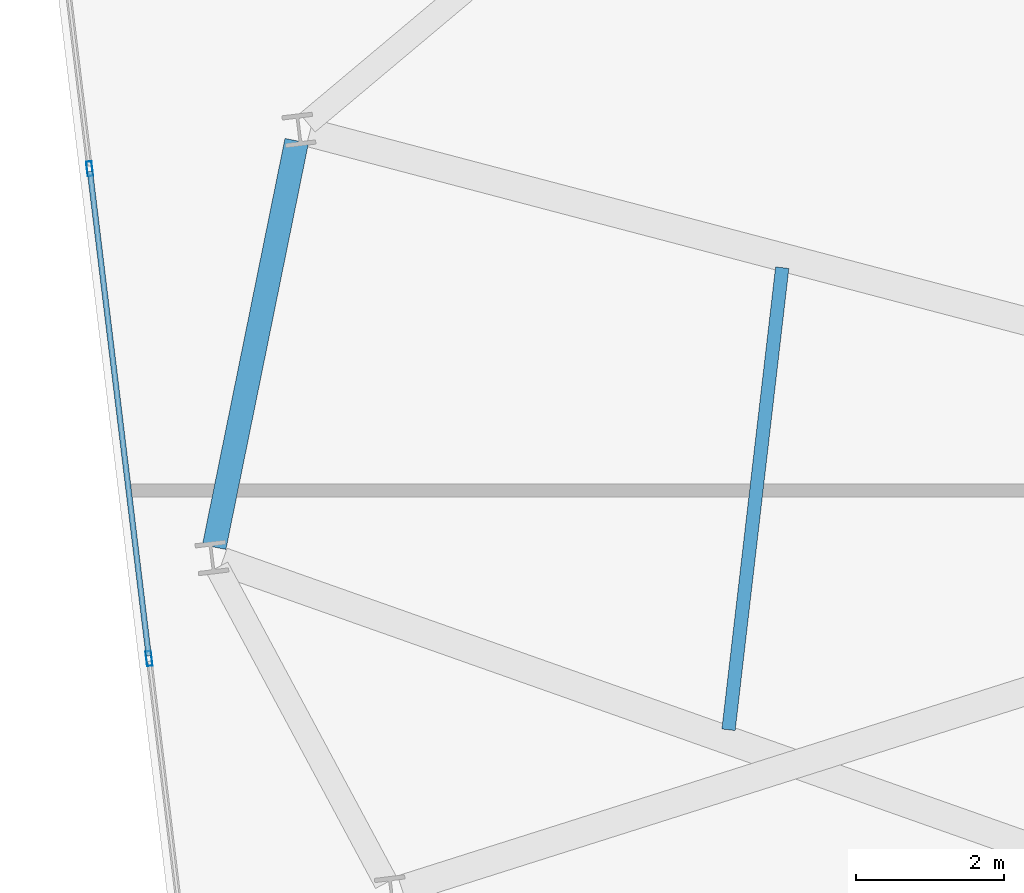
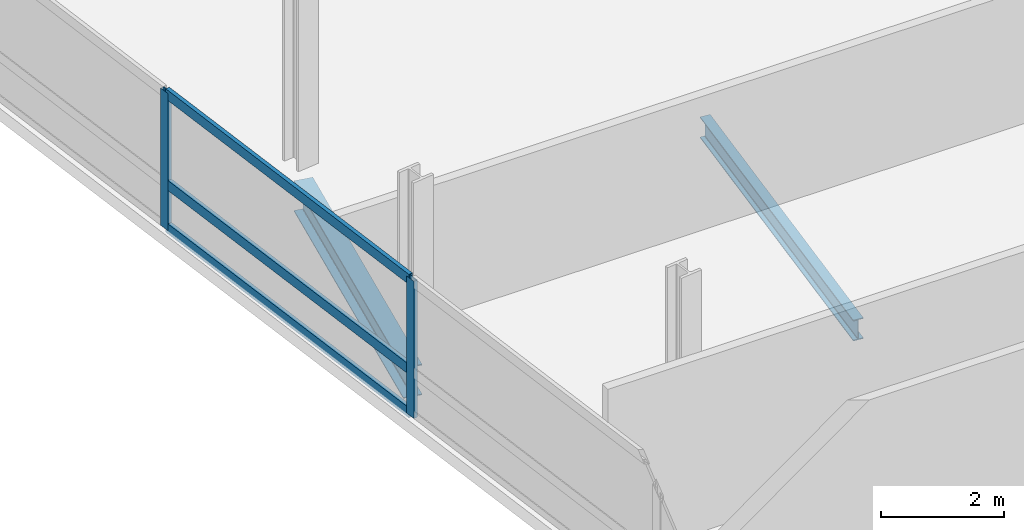
# One storey, part 6 of 24: 5 members, 2 beams, 1 element without a shape of its own.
"""IFC4 building model written with IfcOpenShell, lengths in metres."""

from ifc_helpers import new_model, si_unit, direction, frame, origin, origin_2d, place, context, subcontext, project, spatial, hollow_rectangle, i_section, extrude, material, layer, layer_set, material_profile, profile_set, type_object, element, aggregate, save


model = new_model("IFC4")

# Units and contexts
model_context = context("Model", 3, precision=1e-05, world=origin(), true_north=direction((0.0, 1.0)))
body_context = subcontext(model_context, "Body", "Model", "MODEL_VIEW")
ifc_project = project(units=[si_unit("LENGTHUNIT", "METRE"), si_unit("AREAUNIT", "SQUARE_METRE"), si_unit("VOLUMEUNIT", "CUBIC_METRE"), si_unit("PLANEANGLEUNIT", "RADIAN"), si_unit("MASSUNIT", "GRAM", prefix="KILO")], contexts=[model_context])

# Site, building, storey
site_placement = place(None, origin())
site = spatial("IfcSite", under=ifc_project, at=site_placement, CompositionType="ELEMENT")
building_placement = place(site_placement, origin())
building = spatial("IfcBuilding", under=site, at=building_placement, Name="Varnelok Gate Tower", CompositionType="ELEMENT")
storey_placement = place(building_placement, frame((0.0, 0.0, 196.800048828125)))
storey = spatial("IfcBuildingStorey", under=building, at=storey_placement, Name="L50", CompositionType="ELEMENT", Elevation=196.800048828125)

# Beams
ifc_material_1 = material(Name="Structural Steel ASTM A992 Grade 50", Category="steel")
ifc_material_profile_1 = material_profile(ifc_material_1, i_section(OverallWidth=0.180908203125, OverallDepth=0.4169921875, WebThickness=0.010986328125, FlangeThickness=0.018310546875, FilletRadius=0.013916015625, at=origin_2d()), Name="W16X57")
ifc_profile_set_1 = profile_set([ifc_material_profile_1], Name="Structural Steel ASTM A992 Grade 50")
beam_type_1 = type_object("IfcBeamType", Name="BM-JST-W16X57", PredefinedType="JOIST", material=ifc_profile_set_1)
beam_1_placement = place(storey_placement, frame((12.46630859375, 29.676025390625, -0.45849609375), z_axis=(-0.115437706944, -0.993314721433, 0.0), x_axis=(0.993314721433, -0.115437706944, 0.0)))
element("IfcBeam", 1, at=beam_1_placement, inside=storey, type_object=beam_type_1, Name="L50 Sector Floor Joist 11", PredefinedType="JOIST", context=body_context, shape_type="SweptSolid", body=[
    extrude(i_section(OverallWidth=0.180908203125, OverallDepth=0.4169921875, WebThickness=0.010986328125, FlangeThickness=0.018310546875, FilletRadius=0.013916015625, at=origin_2d()), origin(), (0.0, 0.0, 1.0), 6.298095703125),
])
ifc_material_profile_2 = material_profile(ifc_material_1, i_section(OverallWidth=0.323974609375, OverallDepth=0.611083984375, WebThickness=0.0126953125, FlangeThickness=0.01904296875, FilletRadius=0.01806640625, at=origin_2d()), Name="W24X104")
ifc_profile_set_2 = profile_set([ifc_material_profile_2], Name="Structural Steel ASTM A992 Grade 50")
beam_type_2 = type_object("IfcBeamType", Name="BM-SPN-W24X104", PredefinedType="SPANDREL", material=ifc_profile_set_2)
beam_2_placement = place(storey_placement, frame((5.893310546875, 31.393798828125, -0.5556640625), z_axis=(-0.199143476404, -0.97997034435, 0.0), x_axis=(0.97997034435, -0.199143476404, 0.0)))
element("IfcBeam", 2, at=beam_2_placement, inside=storey, type_object=beam_type_2, Name="L50 Perimeter Spandrel Beam 14", PredefinedType="SPANDREL", context=body_context, shape_type="SweptSolid", body=[
    extrude(i_section(OverallWidth=0.323974609375, OverallDepth=0.611083984375, WebThickness=0.0126953125, FlangeThickness=0.01904296875, FilletRadius=0.01806640625, at=origin_2d()), origin(), (0.0, 0.0, 1.0), 5.6123046875),
])

# Curtain wall, members
ifc_material_2 = material(Name="Anodized Aluminum Alloy 6063-T6", Category="aluminium")
ifc_layer = layer(ifc_material_2, 0.179931640625)
ifc_layer_set = layer_set([ifc_layer], Name="Anodized Aluminum Alloy 6063-T6")
curtain_wall_type = type_object("IfcCurtainWallType", Name="CW4-RESIDENCE-VISION", PredefinedType="USERDEFINED", material=ifc_layer_set)
curtain_wall_placement = place(storey_placement, origin())
curtain_wall = element("IfcCurtainWall", 3, at=curtain_wall_placement, inside=storey, type_object=curtain_wall_type, Name="L50 West End Vision Curtain Wall", ObjectType="UNITISED CURTAIN WALL", PredefinedType="USERDEFINED")
ifc_material_profile_3 = material_profile(ifc_material_2, hollow_rectangle(XDim=0.074951171875, YDim=0.199951171875, WallThickness=0.00390625, at=origin_2d()), Name="ALU200X75X4")
ifc_profile_set_3 = profile_set([ifc_material_profile_3], Name="Anodized Aluminum Alloy 6063-T6")
member_type_1 = type_object("IfcMemberType", Name="CW-MULL-200", PredefinedType="MULLION", material=ifc_profile_set_3)
member_1_placement = place(storey_placement, frame((3.8935546875, 24.384521484375, 0.0), z_axis=(0.0, 0.0, 1.0), x_axis=(-0.992732188751, -0.120344511371, 0.0)))
member_1 = element("IfcMember", 4, at=member_1_placement, type_object=member_type_1, Name="CW4 mullion 4", PredefinedType="MULLION", context=body_context, shape_type="SweptSolid", body=[
    extrude(hollow_rectangle(XDim=0.074951171875, YDim=0.199951171875, WallThickness=0.00390625, at=origin_2d()), origin(), (0.0, 0.0, 1.0), 2.72998046875),
])
member_2_placement = place(storey_placement, frame((3.089599609375, 31.015869140625, 0.0), z_axis=(0.0, 0.0, 1.0), x_axis=(-0.992732188751, -0.120344511371, 0.0)))
member_2 = element("IfcMember", 5, at=member_2_placement, type_object=member_type_1, Name="CW4 mullion 5", PredefinedType="MULLION", context=body_context, shape_type="SweptSolid", body=[
    extrude(hollow_rectangle(XDim=0.074951171875, YDim=0.199951171875, WallThickness=0.00390625, at=origin_2d()), origin(), (0.0, 0.0, 1.0), 2.72998046875),
])
ifc_material_profile_4 = material_profile(ifc_material_2, hollow_rectangle(XDim=0.074951171875, YDim=0.199951171875, WallThickness=0.00390625, at=origin_2d()), Name="ALU200X75X4")
ifc_profile_set_4 = profile_set([ifc_material_profile_4], Name="Anodized Aluminum Alloy 6063-T6")
member_type_2 = type_object("IfcMemberType", Name="CW-TRAN-200", PredefinedType="USERDEFINED", material=ifc_profile_set_4)
member_3_placement = place(storey_placement, frame((3.88916015625, 24.421630859375, 0.037353515625), z_axis=(-0.120353445289, 0.992731105691, 0.0), x_axis=(-0.992731105691, -0.120353445289, 0.0)))
member_3 = element("IfcMember", 6, at=member_3_placement, type_object=member_type_2, Name="CW4 transom 4.1", ObjectType="TRANSOM", PredefinedType="USERDEFINED", context=body_context, shape_type="SweptSolid", body=[
    extrude(hollow_rectangle(XDim=0.074951171875, YDim=0.199951171875, WallThickness=0.00390625, at=origin_2d()), origin(), (0.0, 0.0, 1.0), 6.60498046875),
])
member_4_placement = place(storey_placement, frame((3.88916015625, 24.421630859375, 0.89990234375), z_axis=(-0.120353445289, 0.992731105691, 0.0), x_axis=(-0.992731105691, -0.120353445289, 0.0)))
member_4 = element("IfcMember", 7, at=member_4_placement, type_object=member_type_2, Name="CW4 transom 4.2", ObjectType="TRANSOM", PredefinedType="USERDEFINED", context=body_context, shape_type="SweptSolid", body=[
    extrude(hollow_rectangle(XDim=0.074951171875, YDim=0.199951171875, WallThickness=0.00390625, at=origin_2d()), origin(), (0.0, 0.0, 1.0), 6.60498046875),
])
member_5_placement = place(storey_placement, frame((3.88916015625, 24.421630859375, 2.6923828125), z_axis=(-0.120353445289, 0.992731105691, 0.0), x_axis=(-0.992731105691, -0.120353445289, 0.0)))
member_5 = element("IfcMember", 8, at=member_5_placement, type_object=member_type_2, Name="CW4 transom 4.3", ObjectType="TRANSOM", PredefinedType="USERDEFINED", context=body_context, shape_type="SweptSolid", body=[
    extrude(hollow_rectangle(XDim=0.074951171875, YDim=0.199951171875, WallThickness=0.00390625, at=origin_2d()), origin(), (0.0, 0.0, 1.0), 6.60498046875),
])
aggregate(curtain_wall, [member_1, member_2, member_3, member_4, member_5])

save(model, "model.ifc")
